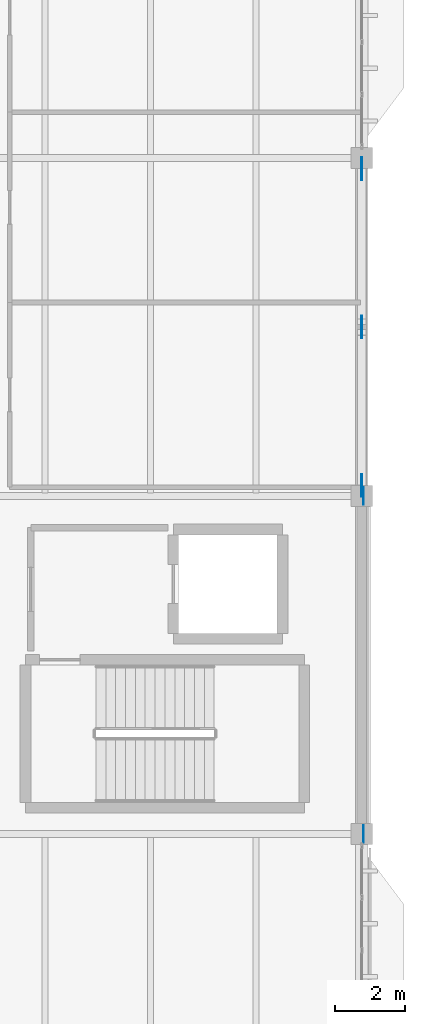
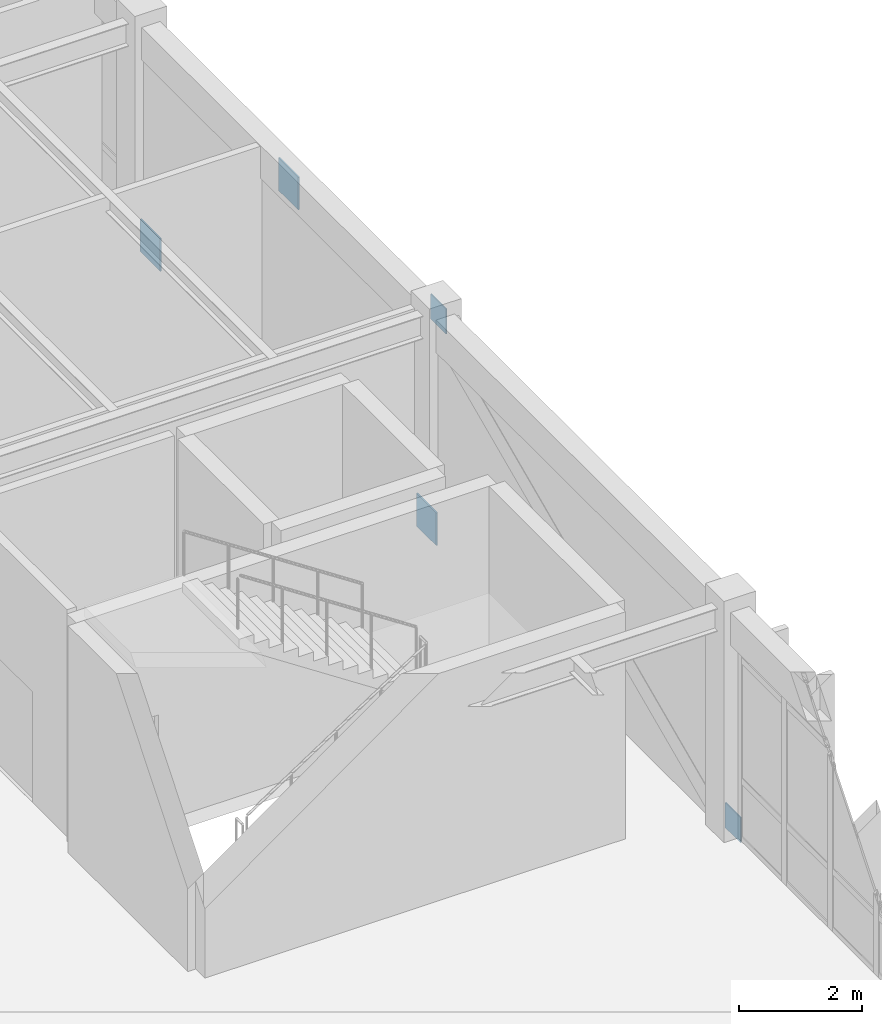
# One storey, part 216 of 236: 5 plates.
"""IFC4 building model written with IfcOpenShell, lengths in metres."""

from ifc_helpers import new_model, si_unit, direction, frame, origin, origin_2d, place, context, subcontext, project, spatial, rectangle, extrude, material, layer, layer_set, type_object, element, save


model = new_model("IFC4")

# Units and contexts
model_context = context("Model", 3, precision=1e-05, world=origin(), true_north=direction((0.0, 1.0)))
body_context = subcontext(model_context, "Body", "Model", "MODEL_VIEW")
ifc_project = project(units=[si_unit("LENGTHUNIT", "METRE"), si_unit("AREAUNIT", "SQUARE_METRE"), si_unit("VOLUMEUNIT", "CUBIC_METRE"), si_unit("PLANEANGLEUNIT", "RADIAN"), si_unit("MASSUNIT", "GRAM", prefix="KILO")], contexts=[model_context])

# Site, building, storey
site_placement = place(None, origin())
site = spatial("IfcSite", under=ifc_project, at=site_placement, CompositionType="ELEMENT")
building_placement = place(site_placement, origin())
building = spatial("IfcBuilding", under=site, at=building_placement, Name="Pandanus Reach Market Hall", CompositionType="ELEMENT")
storey_placement = place(building_placement, frame((0.0, 0.0, 5.39990234375)))
storey = spatial("IfcBuildingStorey", under=building, at=storey_placement, Name="L01", CompositionType="ELEMENT", Elevation=5.39990234375)

# Plates
ifc_material = material(Name="Steel Grade 350 (350 MPa)", Category="steel")
ifc_layer_1 = layer(ifc_material, 0.02001953125, Name="GS-PL20")
ifc_layer_set_1 = layer_set([ifc_layer_1], Name="Steel Grade 350 (350 MPa)")
plate_type_1 = type_object("IfcPlateType", Name="GS-PL20", PredefinedType="SHEET", material=ifc_layer_set_1)
for number, where, z_axis, x_axis, name in (
    (1, (180.050048828125, 28.800048828125, -0.14990234375), (0.0, 0.0, 1.0), (1.0, 0.0, 0.0), "Diagrid rib end anchorage plate GS-PL20 1A"),
    (2, (180.050048828125, 38.39990234375, 4.150146484375), (0.0, 0.0, 1.0), (1.0, 0.0, 0.0), "Diagrid rib end anchorage plate GS-PL20 1B"),
):
    element("IfcPlate", number, at=place(storey_placement, frame(where, z_axis=z_axis, x_axis=x_axis)), inside=storey, type_object=plate_type_1, Name=name, PredefinedType="SHEET", context=body_context, shape_type="SweptSolid", body=[
        extrude(rectangle(XDim=0.02001953125, YDim=0.5, at=origin_2d()), origin(), (0.0, 0.0, 1.0), 0.5),
    ])
ifc_layer_2 = layer(ifc_material, 0.028076171875, Name="GS-PL28")
ifc_layer_set_2 = layer_set([ifc_layer_2], Name="Steel Grade 350 (350 MPa)")
plate_type_2 = type_object("IfcPlateType", Name="GS-PL28", PredefinedType="SHEET", material=ifc_layer_set_2)
for number, where, z_axis, x_axis, name in (
    (3, (180.0, 38.699951171875, -0.1748046875), (0.0, 0.0, 1.0), (0.0, 1.0, 0.0), "Brace gusset plate GS-PL28 13L"),
    (4, (180.0, 43.199951171875, 3.775146484375), (0.0, 0.0, 1.0), (0.0, 1.0, 0.0), "Brace gusset plate GS-PL28 13M"),
    (5, (180.0, 47.699951171875, -0.1748046875), (0.0, 0.0, 1.0), (0.0, 1.0, 0.0), "Brace gusset plate GS-PL28 13R"),
):
    element("IfcPlate", number, at=place(storey_placement, frame(where, z_axis=z_axis, x_axis=x_axis)), inside=storey, type_object=plate_type_2, Name=name, PredefinedType="SHEET", context=body_context, shape_type="SweptSolid", body=[
        extrude(rectangle(XDim=0.64990234375, YDim=0.028076171875, at=origin_2d()), origin(), (0.0, 0.0, 1.0), 0.64990234375),
    ])

save(model, "model.ifc")
